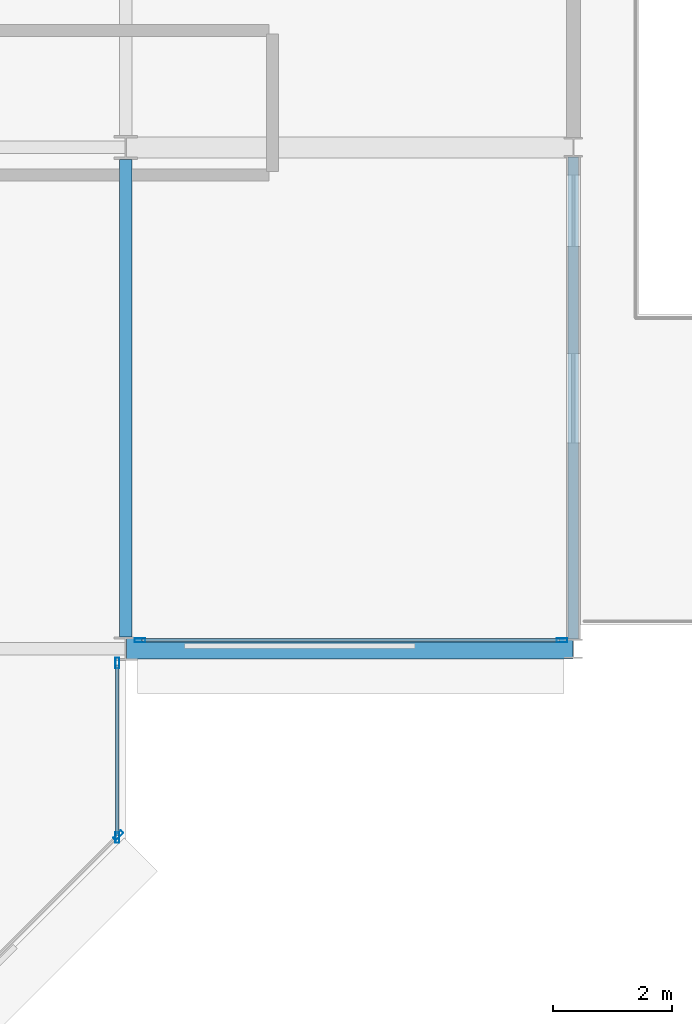
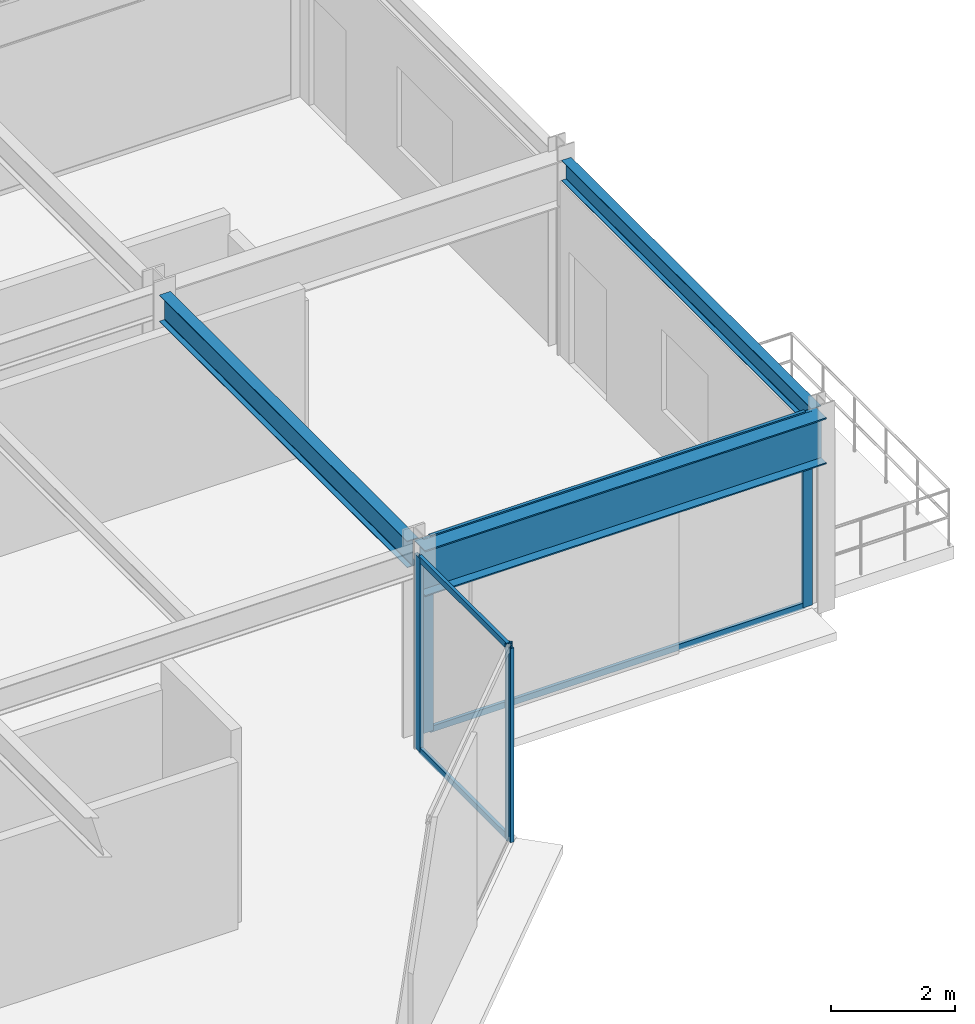
# One storey, part 18 of 39: 9 members, 3 beams, 3 elements without a shape of their own.
"""IFC4 building model written with IfcOpenShell, lengths in metres."""

from ifc_helpers import new_model, si_unit, direction, frame, origin, origin_2d, place, context, subcontext, project, spatial, hollow_rectangle, i_section, extrude, material, layer, layer_set, material_profile, profile_set, type_object, element, aggregate, save


model = new_model("IFC4")

# Units and contexts
model_context = context("Model", 3, precision=1e-05, world=origin(), true_north=direction((0.0, 1.0)))
body_context = subcontext(model_context, "Body", "Model", "MODEL_VIEW")
ifc_project = project(units=[si_unit("LENGTHUNIT", "METRE"), si_unit("AREAUNIT", "SQUARE_METRE"), si_unit("VOLUMEUNIT", "CUBIC_METRE"), si_unit("PLANEANGLEUNIT", "RADIAN"), si_unit("MASSUNIT", "GRAM", prefix="KILO")], contexts=[model_context])

# Site, building, storey
site_placement = place(None, origin())
site = spatial("IfcSite", under=ifc_project, at=site_placement, CompositionType="ELEMENT")
building_placement = place(site_placement, origin())
building = spatial("IfcBuilding", under=site, at=building_placement, Name="Nerrivon Quay Data Exchange", CompositionType="ELEMENT")
storey_placement = place(building_placement, frame((0.0, 0.0, 92.60009765625)))
storey = spatial("IfcBuildingStorey", under=building, at=storey_placement, Name="L21", CompositionType="ELEMENT", Elevation=92.60009765625)

# Beams
ifc_material_1 = material(Name="Steel Grade 350", Category="steel")
ifc_material_profile_1 = material_profile(ifc_material_1, i_section(OverallWidth=0.35009765625, OverallDepth=0.909912109375, WebThickness=0.011962890625, FlangeThickness=0.02490234375, at=origin_2d()), Name="900WB218")
ifc_profile_set_1 = profile_set([ifc_material_profile_1], Name="Steel Grade 350")
beam_type_1 = type_object("IfcBeamType", Name="BM-CANT-900WB", PredefinedType="USERDEFINED", material=ifc_profile_set_1)
beam_1_placement = place(storey_placement, frame((50.41259765625, 8.39990234375, 3.369873046875), z_axis=(1.0, 0.0, 0.0), x_axis=(0.0, 1.0, 0.0)))
element("IfcBeam", 1, at=beam_1_placement, inside=storey, type_object=beam_type_1, Name="L21 East Hooked Cantilever Girder Y=8.4", ObjectType="TRANSFER", PredefinedType="USERDEFINED", context=body_context, shape_type="SweptSolid", body=[
    extrude(i_section(OverallWidth=0.35009765625, OverallDepth=0.909912109375, WebThickness=0.011962890625, FlangeThickness=0.02490234375, at=origin_2d()), origin(), (0.0, 0.0, 1.0), 7.4794921875),
])
ifc_material_profile_2 = material_profile(ifc_material_1, i_section(OverallWidth=0.208984375, OverallDepth=0.528076171875, WebThickness=0.009521484375, FlangeThickness=0.01318359375, FilletRadius=0.013916015625, at=origin_2d()), Name="530UB82.0")
ifc_profile_set_2 = profile_set([ifc_material_profile_2], Name="Steel Grade 350")
beam_type_2 = type_object("IfcBeamType", Name="BM-G4-530UB82", PredefinedType="BEAM", material=ifc_profile_set_2)
beam_2_placement = place(storey_placement, frame((50.39990234375, 8.60009765625, 3.560791015625), z_axis=(0.0, 1.0, 0.0), x_axis=(-1.0, 0.0, 0.0)))
element("IfcBeam", 2, at=beam_2_placement, inside=storey, type_object=beam_type_2, Name="L21 NS Girder X=50.4 (8.4..16.8)", PredefinedType="BEAM", context=body_context, shape_type="SweptSolid", body=[
    extrude(i_section(OverallWidth=0.208984375, OverallDepth=0.528076171875, WebThickness=0.009521484375, FlangeThickness=0.01318359375, FilletRadius=0.013916015625, at=origin_2d()), origin(), (0.0, 0.0, 1.0), 8.0),
])
ifc_material_profile_3 = material_profile(ifc_material_1, i_section(OverallWidth=0.177978515625, OverallDepth=0.403076171875, WebThickness=0.007568359375, FlangeThickness=0.010986328125, FilletRadius=0.011474609375, at=origin_2d()), Name="410UB53.7")
ifc_profile_set_3 = profile_set([ifc_material_profile_3], Name="Steel Grade 350")
beam_type_3 = type_object("IfcBeamType", Name="BM-SP2-410UB54", PredefinedType="SPANDREL", material=ifc_profile_set_3)
beam_3_placement = place(storey_placement, frame((57.89990234375, 8.5634765625, 3.623291015625), z_axis=(0.0, 1.0, 0.0), x_axis=(-1.0, 0.0, 0.0)))
element("IfcBeam", 3, at=beam_3_placement, inside=storey, type_object=beam_type_3, Name="L21 East Hooked Edge Spandrel", PredefinedType="SPANDREL", context=body_context, shape_type="SweptSolid", body=[
    extrude(i_section(OverallWidth=0.177978515625, OverallDepth=0.403076171875, WebThickness=0.007568359375, FlangeThickness=0.010986328125, FilletRadius=0.011474609375, at=origin_2d()), origin(), (0.0, 0.0, 1.0), 8.072998046875),
])

# Curtain wall, members
ifc_material_2 = material(Name="Anodised aluminium 6063-T6", Category="aluminium")
ifc_layer_1 = layer(ifc_material_2, 0.199951171875)
ifc_layer_set_1 = layer_set([ifc_layer_1], Name="Anodised aluminium 6063-T6")
curtain_wall_type_1 = type_object("IfcCurtainWallType", Name="CW-SYS-04", PredefinedType="NOTDEFINED", material=ifc_layer_set_1)
curtain_wall_1_placement = place(storey_placement, origin())
curtain_wall_1 = element("IfcCurtainWall", 4, at=curtain_wall_1_placement, inside=storey, type_object=curtain_wall_type_1, Name="L21 Unitised Curtain Wall 3", PredefinedType="NOTDEFINED")
ifc_material_profile_4 = material_profile(ifc_material_2, hollow_rectangle(XDim=0.06494140625, YDim=0.179931640625, WallThickness=0.00341796875, at=origin_2d()), Name="ALU-MULL-180x65")
ifc_profile_set_4 = profile_set([ifc_material_profile_4], Name="Anodised aluminium 6063-T6")
member_type_1 = type_object("IfcMemberType", Name="CWM-180x65", PredefinedType="MULLION", material=ifc_profile_set_4)
member_1_placement = place(storey_placement, frame((57.70703125, 8.5400390625, 0.0), z_axis=(0.0, 0.0, 1.0), x_axis=(0.0, -1.0, 0.0)))
member_1 = element("IfcMember", 5, at=member_1_placement, type_object=member_type_1, Name="CW04 mullion 1", PredefinedType="MULLION", context=body_context, shape_type="SweptSolid", body=[
    extrude(hollow_rectangle(XDim=0.06494140625, YDim=0.179931640625, WallThickness=0.00341796875, at=origin_2d()), origin(), (0.0, 0.0, 1.0), 3.824951171875),
])
member_2_placement = place(storey_placement, frame((50.637451171875, 8.5400390625, 0.0), z_axis=(0.0, 0.0, 1.0), x_axis=(0.0, -1.0, 0.0)))
member_2 = element("IfcMember", 6, at=member_2_placement, type_object=member_type_1, Name="CW04 mullion 2", PredefinedType="MULLION", context=body_context, shape_type="SweptSolid", body=[
    extrude(hollow_rectangle(XDim=0.06494140625, YDim=0.179931640625, WallThickness=0.00341796875, at=origin_2d()), origin(), (0.0, 0.0, 1.0), 3.824951171875),
])

ifc_layer_2 = layer(ifc_material_2, 0.2099609375)
ifc_layer_set_2 = layer_set([ifc_layer_2], Name="Anodised aluminium 6063-T6")
curtain_wall_type_2 = type_object("IfcCurtainWallType", Name="CW-SYS-02", PredefinedType="NOTDEFINED", material=ifc_layer_set_2)
curtain_wall_2_placement = place(storey_placement, origin())
curtain_wall_2 = element("IfcCurtainWall", 7, at=curtain_wall_2_placement, inside=storey, type_object=curtain_wall_type_2, Name="L21 Unitised Curtain Wall 4", PredefinedType="NOTDEFINED")
member_3_placement = place(storey_placement, frame((50.260009765625, 8.16259765625, 0.0), z_axis=(0.0, 0.0, 1.0), x_axis=(1.0, 0.0, 0.0)))
member_3 = element("IfcMember", 8, at=member_3_placement, type_object=member_type_1, Name="CW02 mullion 1", PredefinedType="MULLION", context=body_context, shape_type="SweptSolid", body=[
    extrude(hollow_rectangle(XDim=0.06494140625, YDim=0.179931640625, WallThickness=0.00341796875, at=origin_2d()), origin(), (0.0, 0.0, 1.0), 3.824951171875),
])
member_4_placement = place(storey_placement, frame((50.260009765625, 5.237548828125, 0.0), z_axis=(0.0, 0.0, 1.0), x_axis=(1.0, 0.0, 0.0)))
member_4 = element("IfcMember", 9, at=member_4_placement, type_object=member_type_1, Name="CW02 mullion 2", PredefinedType="MULLION", context=body_context, shape_type="SweptSolid", body=[
    extrude(hollow_rectangle(XDim=0.06494140625, YDim=0.179931640625, WallThickness=0.00341796875, at=origin_2d()), origin(), (0.0, 0.0, 1.0), 3.824951171875),
])

# Curtain wall, member
curtain_wall_3_placement = place(storey_placement, origin())
curtain_wall_3 = element("IfcCurtainWall", 10, at=curtain_wall_3_placement, inside=storey, type_object=curtain_wall_type_2, Name="L21 Unitised Curtain Wall 5", PredefinedType="NOTDEFINED")
member_5_placement = place(storey_placement, frame((50.2744140625, 5.2724609375, 0.0), z_axis=(0.0, 0.0, 1.0), x_axis=(0.707106781187, -0.707106781187, 0.0)))
member_5 = element("IfcMember", 11, at=member_5_placement, type_object=member_type_1, Name="CW02 mullion 1", PredefinedType="MULLION", context=body_context, shape_type="SweptSolid", body=[
    extrude(hollow_rectangle(XDim=0.06494140625, YDim=0.179931640625, WallThickness=0.00341796875, at=origin_2d()), origin(), (0.0, 0.0, 1.0), 3.824951171875),
])
aggregate(curtain_wall_3, [member_5])

# Member
ifc_material_profile_5 = material_profile(ifc_material_2, hollow_rectangle(XDim=0.06005859375, YDim=0.1201171875, WallThickness=0.003173828125, at=origin_2d()), Name="ALU-TRAN-120x60")
ifc_profile_set_5 = profile_set([ifc_material_profile_5], Name="Anodised aluminium 6063-T6")
member_type_2 = type_object("IfcMemberType", Name="CWT-120x60", PredefinedType="USERDEFINED", material=ifc_profile_set_5)
member_6_placement = place(storey_placement, frame((57.66943359375, 8.5400390625, 0.032470703125), z_axis=(-1.0, 0.0, 0.0), x_axis=(0.0, -1.0, 0.0)))
member_6 = element("IfcMember", 12, at=member_6_placement, type_object=member_type_2, Name="CW04 transom 1.1", ObjectType="TRANSOM", PredefinedType="USERDEFINED", context=body_context, shape_type="SweptSolid", body=[
    extrude(hollow_rectangle(XDim=0.06005859375, YDim=0.1201171875, WallThickness=0.003173828125, at=origin_2d()), origin(), (0.0, 0.0, 1.0), 6.994384765625),
])

member_7_placement = place(storey_placement, frame((57.66943359375, 8.5400390625, 3.79248046875), z_axis=(-1.0, 0.0, 0.0), x_axis=(0.0, -1.0, 0.0)))
member_7 = element("IfcMember", 13, at=member_7_placement, type_object=member_type_2, Name="CW04 transom 1.2", ObjectType="TRANSOM", PredefinedType="USERDEFINED", context=body_context, shape_type="SweptSolid", body=[
    extrude(hollow_rectangle(XDim=0.06005859375, YDim=0.1201171875, WallThickness=0.003173828125, at=origin_2d()), origin(), (0.0, 0.0, 1.0), 6.994384765625),
])

aggregate(curtain_wall_1, [member_1, member_2, member_6, member_7])

member_8_placement = place(storey_placement, frame((50.260009765625, 8.125, 0.032470703125), z_axis=(0.0, -1.0, 0.0), x_axis=(1.0, 0.0, 0.0)))
member_8 = element("IfcMember", 14, at=member_8_placement, type_object=member_type_2, Name="CW02 transom 1.1", ObjectType="TRANSOM", PredefinedType="USERDEFINED", context=body_context, shape_type="SweptSolid", body=[
    extrude(hollow_rectangle(XDim=0.06005859375, YDim=0.1201171875, WallThickness=0.003173828125, at=origin_2d()), origin(), (0.0, 0.0, 1.0), 2.85009765625),
])

member_9_placement = place(storey_placement, frame((50.260009765625, 8.125, 3.79248046875), z_axis=(0.0, -1.0, 0.0), x_axis=(1.0, 0.0, 0.0)))
member_9 = element("IfcMember", 15, at=member_9_placement, type_object=member_type_2, Name="CW02 transom 1.2", ObjectType="TRANSOM", PredefinedType="USERDEFINED", context=body_context, shape_type="SweptSolid", body=[
    extrude(hollow_rectangle(XDim=0.06005859375, YDim=0.1201171875, WallThickness=0.003173828125, at=origin_2d()), origin(), (0.0, 0.0, 1.0), 2.85009765625),
])

aggregate(curtain_wall_2, [member_3, member_4, member_8, member_9])

save(model, "model.ifc")
